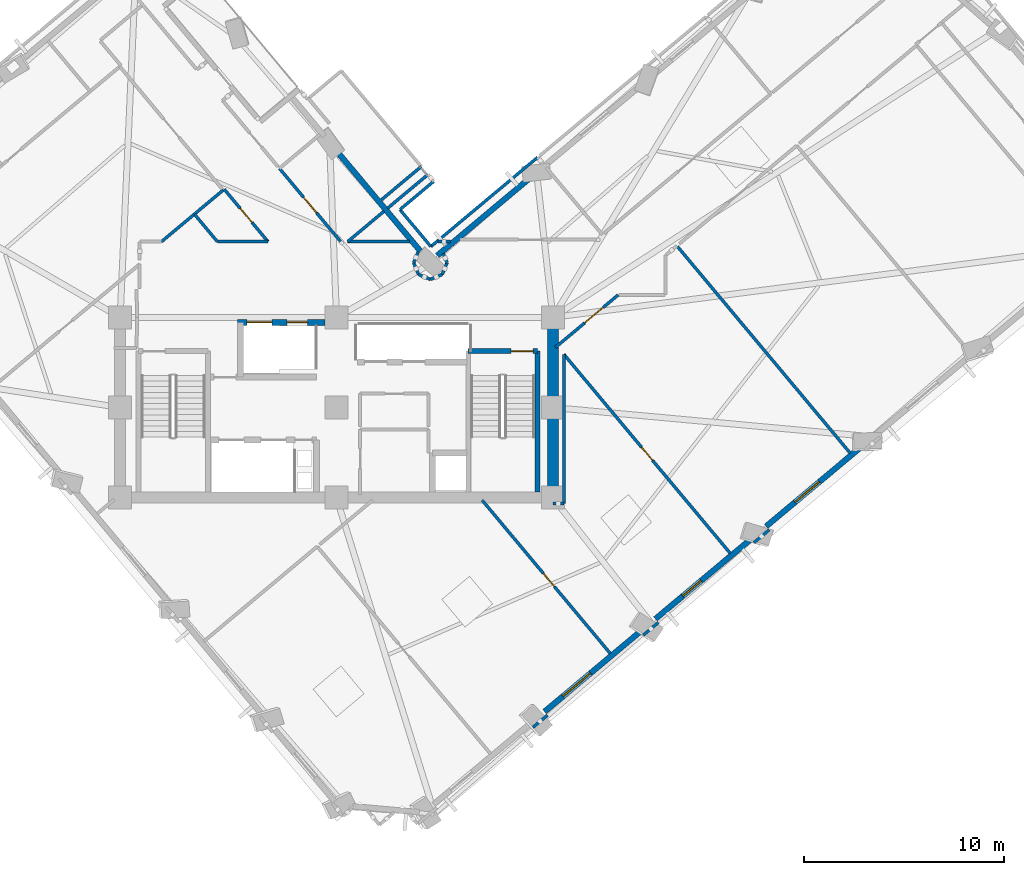
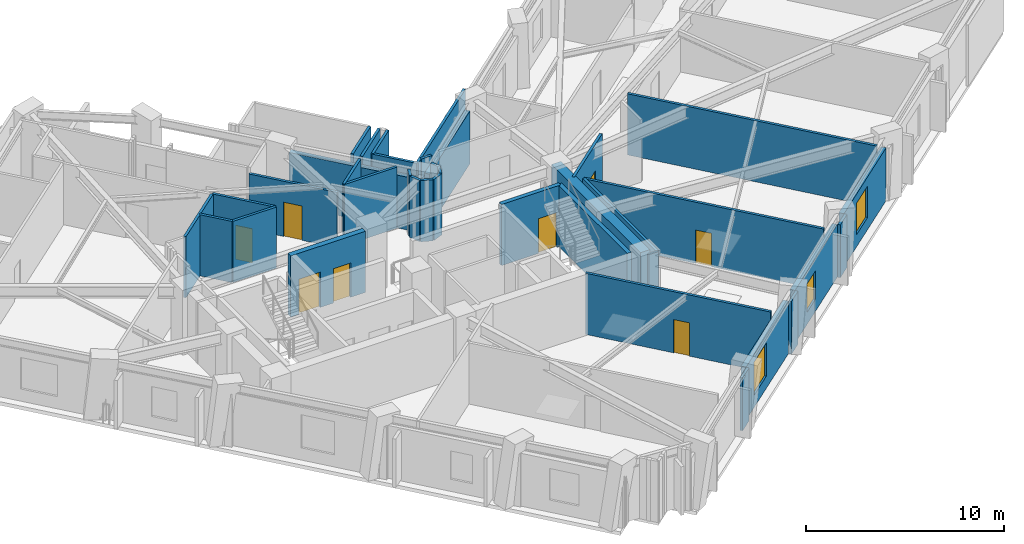
# One storey, part 7 of 14: 37 walls, 8 doors, 3 windows, 11 openings.
"""IFC4 building model written with IfcOpenShell, lengths in metres."""

import ifcopenshell
import ifcopenshell.guid

model = None  # the IFC model being written
_history = None  # IfcOwnerHistory: only IFC2X3 demands one
_inside = {}  # id of a spatial element -> (the spatial element, [elements in it])
_under = {}  # id of a project, library or spatial element -> (it, [spatial elements below it])
_declared = {}  # id of a project -> (the project, [libraries it declares])
_typed = {}  # id of a type object -> (the type object, [elements of that type])
_made_of = {}  # id of a material, layer set ... -> (it, [elements and type objects made of it])


def new_model(schema):
    """Start an empty IFC model of exactly this schema.

    Asked for "IFC4X3", IfcOpenShell would pick the latest addendum, in which some entities
    have other attributes; the version numbers below select the first issue.
    IFC2X3 requires an IfcOwnerHistory on every rooted entity: one is made here for all.
    """
    global model, _history
    if schema == "IFC4X3":
        model = ifcopenshell.file(schema_version=(4, 3, 0, 0))
    else:
        model = ifcopenshell.file(schema=schema)
    _inside.clear()
    _under.clear()
    _declared.clear()
    _typed.clear()
    _made_of.clear()
    _history = None
    if model.schema == "IFC2X3":
        org = make("IfcOrganization", Name="unknown")
        user = make(
            "IfcPersonAndOrganization",
            ThePerson=make("IfcPerson", FamilyName="unknown"),
            TheOrganization=org,
        )
        app = make(
            "IfcApplication",
            ApplicationDeveloper=org,
            Version="unknown",
            ApplicationFullName="unknown",
            ApplicationIdentifier="unknown",
        )
        _history = make(
            "IfcOwnerHistory",
            OwningUser=user,
            OwningApplication=app,
            ChangeAction="ADDED",
            CreationDate=0,
        )
    return model


def make(cls, **values):
    """One entity of the class cls with the attributes given. An attribute that is None is left unset."""
    return model.create_entity(
        cls, **{name: value for name, value in values.items() if value is not None}
    )


def rooted(cls, **values):
    """An entity with a GlobalId (a new one), such as an element, a storey or a relation."""
    return make(cls, GlobalId=ifcopenshell.guid.new(), OwnerHistory=_history, **values)


def si_unit(unit_type, name, prefix=None):
    """IfcSIUnit, for example si_unit("LENGTHUNIT", "METRE", prefix="MILLI")."""
    return make("IfcSIUnit", UnitType=unit_type, Prefix=prefix, Name=name)


def assignment(units):
    """IfcUnitAssignment: the units of a project."""
    return None if units is None else make("IfcUnitAssignment", Units=units)


def point(xyz):
    """IfcCartesianPoint."""
    return None if xyz is None else make("IfcCartesianPoint", Coordinates=xyz)


def direction(xyz):
    """IfcDirection."""
    return None if xyz is None else make("IfcDirection", DirectionRatios=xyz)


def frame(location, z_axis=None, x_axis=None):
    """IfcAxis2Placement3D, a coordinate frame: its origin and axes. An axis left out is left unset."""
    return make(
        "IfcAxis2Placement3D",
        Location=point(location),
        Axis=direction(z_axis),
        RefDirection=direction(x_axis),
    )


def frame_2d(location, x_axis=None):
    """IfcAxis2Placement2D, a coordinate frame in the plane: its origin and x axis."""
    return make(
        "IfcAxis2Placement2D", Location=point(location), RefDirection=direction(x_axis)
    )


def origin():
    """The frame at (0, 0, 0) with its axes left unset."""
    return frame((0.0, 0.0, 0.0))


def place(relative_to, where):
    """IfcLocalPlacement: puts the frame where relative to a parent placement (None: the world)."""
    return make(
        "IfcLocalPlacement", PlacementRelTo=relative_to, RelativePlacement=where
    )


def context(
    kind, dimensions, precision=None, world=None, true_north=None, identifier=None
):
    """IfcGeometricRepresentationContext, for example the 3D "Model" context."""
    return make(
        "IfcGeometricRepresentationContext",
        ContextIdentifier=identifier,
        ContextType=kind,
        CoordinateSpaceDimension=dimensions,
        Precision=precision,
        WorldCoordinateSystem=world,
        TrueNorth=true_north,
    )


def subcontext(parent, identifier, kind, view, scale=None):
    """IfcGeometricRepresentationSubContext, for example "Body" below "Model"."""
    return make(
        "IfcGeometricRepresentationSubContext",
        ContextIdentifier=identifier,
        ContextType=kind,
        ParentContext=parent,
        TargetScale=scale,
        TargetView=view,
    )


def project(units=None, contexts=None):
    """IfcProject with its units and contexts."""
    return rooted(
        "IfcProject",
        Name="project",
        RepresentationContexts=contexts,
        UnitsInContext=assignment(units),
    )


def spatial(cls, under=None, at=None, **own):
    """A site, building, storey or space (cls), placed at a placement, below another one or the project."""
    s = rooted(cls, ObjectPlacement=at, **own)
    if under is not None:
        _under.setdefault(under.id(), (under, []))[1].append(s)
    return s


def profile(cls, at=None, kind="AREA", **sizes):
    """A parametric profile (cls). Its sizes go by their IFC names, for example OverallWidth=200.0."""
    return make(cls, ProfileType=kind, Position=at, **sizes)


def rectangle(**sizes):
    """IfcRectangleProfileDef."""
    return profile("IfcRectangleProfileDef", **sizes)


def extrude(swept, where, along, depth):
    """IfcExtrudedAreaSolid: the profile swept, set in the frame where, extruded along a direction by depth."""
    return make(
        "IfcExtrudedAreaSolid",
        SweptArea=swept,
        Position=where,
        ExtrudedDirection=direction(along),
        Depth=depth,
    )


def shape(context_of_items, identifier, shape_type, items):
    """IfcShapeRepresentation: the items that make up one representation, for example the "Body"."""
    return make(
        "IfcShapeRepresentation",
        ContextOfItems=context_of_items,
        RepresentationIdentifier=identifier,
        RepresentationType=shape_type,
        Items=items,
    )


def material(Name=None, Category=None):
    """IfcMaterial."""
    return make("IfcMaterial", Name=Name, Category=Category)


def layer(
    of_material, thickness, ventilated=None, Name=None, Category=None, Priority=None
):
    """IfcMaterialLayer: one layer of a wall or slab, of a material (None: an air gap)."""
    return make(
        "IfcMaterialLayer",
        Material=of_material,
        LayerThickness=thickness,
        IsVentilated=ventilated,
        Name=Name,
        Category=Category,
        Priority=Priority,
    )


def layer_set(layers, Name=None):
    """IfcMaterialLayerSet."""
    return make("IfcMaterialLayerSet", MaterialLayers=layers, LayerSetName=Name)


def made_of(thing, what):
    """Note that an element or type object is made of a material, layer set ...; save() writes the relation."""
    if what is not None:
        _made_of.setdefault(what.id(), (what, []))[1].append(thing)
    return thing


def type_object(cls, material=None, **own):
    """A type object (cls), such as IfcWallType, which elements share."""
    return made_of(rooted(cls, **own), material)


def element(
    cls,
    number,
    at=None,
    inside=None,
    cuts=None,
    type_object=None,
    material=None,
    context=None,
    identifier="Body",
    shape_type=None,
    held_by="IfcProductDefinitionShape",
    body=None,
    shapes=None,
    **own,
):
    """One element of the class cls, such as IfcWall. Its Tag is "e" and its number.

    at: its placement. inside: the storey or other place that contains it. cuts: it is an
    opening in that element (IfcRelVoidsElement). A single representation is given by context,
    identifier, shape_type and body (its items); several are given by shapes. held_by: the class
    of the entity that holds the representations. save() writes the other relations.
    """
    e = rooted(cls, Tag="e%d" % number, ObjectPlacement=at, **own)
    if body is not None:
        shapes = [shape(context, identifier, shape_type, body)]
    if shapes is not None:
        e.Representation = make(held_by, Representations=shapes)
    if inside is not None:
        _inside.setdefault(inside.id(), (inside, []))[1].append(e)
    if cuts is not None:
        rooted(
            "IfcRelVoidsElement", RelatingBuildingElement=cuts, RelatedOpeningElement=e
        )
    if type_object is not None:
        _typed.setdefault(type_object.id(), (type_object, []))[1].append(e)
    return made_of(e, material)


def fill(opening, filler):
    """IfcRelFillsElement: the door or window that sits in an opening."""
    return rooted(
        "IfcRelFillsElement",
        RelatingOpeningElement=opening,
        RelatedBuildingElement=filler,
    )


def aggregate(whole, parts):
    """IfcRelAggregates: a whole, such as a stair, and the parts it consists of."""
    return rooted("IfcRelAggregates", RelatingObject=whole, RelatedObjects=parts)


def save(model, path):
    """Write the relations noted so far, then the file.

    IfcRelAggregates (storeys below a building ...), IfcRelContainedInSpatialStructure (elements
    in a storey), IfcRelDefinesByType, IfcRelAssociatesMaterial and IfcRelDeclares: one each for
    every whole, place, type object, material and project.
    """
    for whole, parts in _under.values():
        aggregate(whole, parts)
    for where, things in _inside.values():
        rooted(
            "IfcRelContainedInSpatialStructure",
            RelatedElements=things,
            RelatingStructure=where,
        )
    for kind, things in _typed.values():
        rooted("IfcRelDefinesByType", RelatedObjects=things, RelatingType=kind)
    for what, things in _made_of.values():
        rooted("IfcRelAssociatesMaterial", RelatedObjects=things, RelatingMaterial=what)
    for by, libraries in _declared.values():
        rooted("IfcRelDeclares", RelatingContext=by, RelatedDefinitions=libraries)
    model.write(path)


model = new_model("IFC4")

# Units and contexts
model_context = context("Model", 3, precision=1e-05, world=origin(), true_north=direction((0.0, 1.0)))
body_context = subcontext(model_context, "Body", "Model", "MODEL_VIEW")
ifc_project = project(units=[si_unit("LENGTHUNIT", "METRE"), si_unit("AREAUNIT", "SQUARE_METRE"), si_unit("VOLUMEUNIT", "CUBIC_METRE"), si_unit("PLANEANGLEUNIT", "RADIAN"), si_unit("MASSUNIT", "GRAM", prefix="KILO")], contexts=[model_context])

# Site, building, storey
site_placement = place(None, origin())
site = spatial("IfcSite", under=ifc_project, at=site_placement, CompositionType="ELEMENT")
building_placement = place(site_placement, origin())
building = spatial("IfcBuilding", under=site, at=building_placement, Name="Gaonmaruhae Medical Tower", CompositionType="ELEMENT")
storey_placement = place(building_placement, frame((0.0, 0.0, 193.800048828125)))
storey = spatial("IfcBuildingStorey", under=building, at=storey_placement, Name="L46", CompositionType="ELEMENT", Elevation=193.800048828125)

# Wall
ifc_material_1 = material(Name="Concrete C50/60", Category="concrete")
ifc_layer_1 = layer(ifc_material_1, 0.550048828125)
ifc_layer_set_1 = layer_set([ifc_layer_1], Name="Concrete C50/60")
wall_type_1 = type_object("IfcWallType", Name="CW-550 Mid-High Core Shear Wall", PredefinedType="SHEAR", material=ifc_layer_set_1)
wall_1_placement = place(storey_placement, frame((35.60009765625, 7.800048828125, 0.0), z_axis=(0.0, 0.0, 1.0), x_axis=(0.0, 1.0, 0.0)))
element("IfcWall", 1, at=wall_1_placement, inside=storey, type_object=wall_type_1, Name="L46 Core Shear Wall CSW-E1", PredefinedType="SHEAR", context=body_context, shape_type="SweptSolid", body=[
    extrude(rectangle(XDim=9.0, YDim=0.550048828125, at=frame_2d((4.5, 0.0))), origin(), (0.0, 0.0, 1.0), 3.780029296875),
])

# Wall, opening, window
ifc_material_2 = material(Name="Precast concrete C45/55", Category="concrete")
ifc_layer_2 = layer(ifc_material_2, 0.280029296875)
ifc_layer_set_2 = layer_set([ifc_layer_2], Name="Precast concrete C45/55")
wall_type_2 = type_object("IfcWallType", Name="EW-280 Upper Precast Masonry-Frame Facade Wall", PredefinedType="SOLIDWALL", material=ifc_layer_set_2)
wall_2_placement = place(storey_placement, frame((39.967041015625, 1.120849609375, 0.0), z_axis=(0.0, 0.0, 1.0), x_axis=(-0.767160959211, -0.641454645834, 0.0)))
wall_2 = element("IfcWall", 2, at=wall_2_placement, inside=storey, type_object=wall_type_2, Name="L46 Precast Masonry-Frame Wall S02-S03", PredefinedType="SOLIDWALL", context=body_context, shape_type="SweptSolid", body=[
    extrude(rectangle(XDim=6.234375, YDim=0.280029296875, at=frame_2d((3.1171875, 0.0))), origin(), (0.0, 0.0, 1.0), 3.264892578125),
])
opening_1_placement = place(wall_2_placement, frame((3.244873046875, 0.0, 0.75)))
opening_1 = element("IfcOpeningElement", 3, at=opening_1_placement, cuts=wall_2, Name="Opening WN-04", PredefinedType="OPENING", context=body_context, shape_type="SweptSolid", body=[
    extrude(rectangle(XDim=1.800048828125, YDim=2.050048828125, at=frame_2d((0.89990234375, 1.02490234375))), frame((0.0, 0.14990234375, 0.0), z_axis=(0.0, -1.0, 0.0), x_axis=(1.0, 0.0, 0.0)), (0.0, 0.0, 1.0), 0.300048828125),
])
ifc_material_3 = material(Name="Anodised aluminium and Low-E double glazing", Category="aluminium")
window_type_1 = type_object("IfcWindowType", Name="WN-04 Clinic & Consult Punched Window 1800x2050", PartitioningType="SINGLE_PANEL", PredefinedType="WINDOW", material=ifc_material_3)
window_1_placement = place(opening_1_placement, origin())
window_1 = element("IfcWindow", 4, at=window_1_placement, inside=storey, type_object=window_type_1, Name="L46 Modular Facade Window S02", OverallHeight=2.050048828125, OverallWidth=1.800048828125, PartitioningType="SINGLE_PANEL", PredefinedType="WINDOW", context=body_context, shape_type="SweptSolid", body=[
    extrude(rectangle(XDim=1.800048828125, YDim=2.050048828125, at=frame_2d((0.89990234375, 1.02490234375))), frame((0.0, 0.030029296875, 0.0), z_axis=(0.0, -1.0, 0.0), x_axis=(1.0, 0.0, 0.0)), (0.0, 0.0, 1.0), 0.06005859375),
])
fill(opening_1, window_1)

wall_3_placement = place(storey_placement, frame((45.485595703125, 5.735107421875, 0.0), z_axis=(0.0, 0.0, 1.0), x_axis=(-0.767147873107, -0.641470296107, 0.0)))
wall_3 = element("IfcWall", 5, at=wall_3_placement, inside=storey, type_object=wall_type_2, Name="L46 Precast Masonry-Frame Wall S03-S04", PredefinedType="SOLIDWALL", context=body_context, shape_type="SweptSolid", body=[
    extrude(rectangle(XDim=6.21435546875, YDim=0.280029296875, at=frame_2d((3.107177734375, 0.0))), origin(), (0.0, 0.0, 1.0), 3.264892578125),
])
opening_2_placement = place(wall_3_placement, frame((3.23486328125, 0.0, 0.75)))
opening_2 = element("IfcOpeningElement", 6, at=opening_2_placement, cuts=wall_3, Name="Opening WN-05", PredefinedType="OPENING", context=body_context, shape_type="SweptSolid", body=[
    extrude(rectangle(XDim=1.199951171875, YDim=1.75, at=frame_2d((0.60009765625, 0.875))), frame((0.0, 0.14990234375, 0.0), z_axis=(0.0, -1.0, 0.0), x_axis=(1.0, 0.0, 0.0)), (0.0, 0.0, 1.0), 0.300048828125),
])
window_type_2 = type_object("IfcWindowType", Name="WN-05 Support & Staff Punched Window 1200x1750", PartitioningType="SINGLE_PANEL", PredefinedType="WINDOW", material=ifc_material_3)
window_2_placement = place(opening_2_placement, origin())
window_2 = element("IfcWindow", 7, at=window_2_placement, inside=storey, type_object=window_type_2, Name="L46 Modular Facade Window S03", OverallHeight=1.75, OverallWidth=1.199951171875, PartitioningType="SINGLE_PANEL", PredefinedType="WINDOW", context=body_context, shape_type="SweptSolid", body=[
    extrude(rectangle(XDim=1.199951171875, YDim=1.75, at=frame_2d((0.60009765625, 0.875))), frame((0.0, 0.030029296875, 0.0), z_axis=(0.0, -1.0, 0.0), x_axis=(1.0, 0.0, 0.0)), (0.0, 0.0, 1.0), 0.06005859375),
])
fill(opening_2, window_2)

wall_4_placement = place(storey_placement, frame((51.009521484375, 10.353759765625, 0.0), z_axis=(0.0, 0.0, 1.0), x_axis=(-0.767179241659, -0.641432779929, 0.0)))
wall_4 = element("IfcWall", 8, at=wall_4_placement, inside=storey, type_object=wall_type_2, Name="L46 Precast Masonry-Frame Wall S04-S05", PredefinedType="SOLIDWALL", context=body_context, shape_type="SweptSolid", body=[
    extrude(rectangle(XDim=6.208984375, YDim=0.280029296875, at=frame_2d((3.1044921875, 0.0))), origin(), (0.0, 0.0, 1.0), 3.264892578125),
])
opening_3_placement = place(wall_4_placement, frame((2.734130859375, 0.0, 0.75)))
opening_3 = element("IfcOpeningElement", 9, at=opening_3_placement, cuts=wall_4, Name="Opening WN-01", PredefinedType="OPENING", context=body_context, shape_type="SweptSolid", body=[
    extrude(rectangle(XDim=1.60009765625, YDim=1.949951171875, at=frame_2d((0.800048828125, 0.97509765625))), frame((0.0, 0.14990234375, 0.0), z_axis=(0.0, -1.0, 0.0), x_axis=(1.0, 0.0, 0.0)), (0.0, 0.0, 1.0), 0.300048828125),
])
window_type_3 = type_object("IfcWindowType", Name="WN-01 Ward Punched Acoustic Window 1600x1950", PartitioningType="SINGLE_PANEL", PredefinedType="WINDOW", material=ifc_material_3)
window_3_placement = place(opening_3_placement, origin())
window_3 = element("IfcWindow", 10, at=window_3_placement, inside=storey, type_object=window_type_3, Name="L46 Modular Facade Window S04", OverallHeight=1.949951171875, OverallWidth=1.60009765625, PartitioningType="SINGLE_PANEL", PredefinedType="WINDOW", context=body_context, shape_type="SweptSolid", body=[
    extrude(rectangle(XDim=1.60009765625, YDim=1.949951171875, at=frame_2d((0.800048828125, 0.97509765625))), frame((0.0, 0.030029296875, 0.0), z_axis=(0.0, -1.0, 0.0), x_axis=(1.0, 0.0, 0.0)), (0.0, 0.0, 1.0), 0.06005859375),
])
fill(opening_3, window_3)

# Walls
wall_5_placement = place(storey_placement, frame((29.828369140625, 19.88671875, 0.0), z_axis=(0.0, 0.0, 1.0), x_axis=(0.767165929265, 0.641448701749, 0.0)))
element("IfcWall", 11, at=wall_5_placement, inside=storey, type_object=wall_type_2, Name="L46 Precast Masonry-Frame Wall EN03-KN01", PredefinedType="SOLIDWALL", context=body_context, shape_type="SweptSolid", body=[
    extrude(rectangle(XDim=5.9599609375, YDim=0.280029296875, at=frame_2d((2.97998046875, 0.0))), origin(), (0.0, 0.0, 1.0), 3.264892578125),
])
wall_6_placement = place(storey_placement, frame((29.15771484375, 19.90185546875, 0.0), z_axis=(0.0, 0.0, 1.0), x_axis=(-0.641469423173, 0.767148603032, 0.0)))
element("IfcWall", 12, at=wall_6_placement, inside=storey, type_object=wall_type_2, Name="L46 Precast Masonry-Frame Wall KN01-NE01", PredefinedType="SOLIDWALL", context=body_context, shape_type="SweptSolid", body=[
    extrude(rectangle(XDim=6.76025390625, YDim=0.280029296875, at=frame_2d((3.380126953125, 0.0))), origin(), (0.0, 0.0, 1.0), 3.264892578125),
])
ifc_material_4 = material(Name="Gypsum board partition", Category="gypsum")
ifc_layer_3 = layer(ifc_material_4, 0.14990234375)
ifc_layer_set_3 = layer_set([ifc_layer_3], Name="Gypsum board partition")
wall_type_3 = type_object("IfcWallType", Name="PW-150 Rated Clinical Corridor Partition", PredefinedType="PARTITIONING", material=ifc_layer_set_3)
wall_7_placement = place(storey_placement, frame((35.33203125, -3.054931640625, 0.0), z_axis=(0.0, 0.0, 1.0), x_axis=(-0.76729496063, -0.641294350039, 0.0)))
element("IfcWall", 13, at=wall_7_placement, inside=storey, type_object=wall_type_3, Name="L46 Interior Partition L46-SUP02-16", PredefinedType="PARTITIONING", context=body_context, shape_type="SweptSolid", body=[
    extrude(rectangle(XDim=0.951416015625, YDim=0.14990234375, at=frame_2d((0.4755859375, 0.0))), origin(), (0.0, 0.0, 1.0), 3.264892578125),
])

# Wall, opening, door
wall_8_placement = place(storey_placement, frame((32.068115234375, 7.675048828125, 0.0), z_axis=(0.0, 0.0, 1.0), x_axis=(0.641475635529, -0.767143408381, 0.0)))
wall_8 = element("IfcWall", 14, at=wall_8_placement, inside=storey, type_object=wall_type_3, Name="L46 Interior Partition L46-SUP02-18", PredefinedType="PARTITIONING", context=body_context, shape_type="SweptSolid", body=[
    extrude(rectangle(XDim=9.97998046875, YDim=0.14990234375, at=frame_2d((4.989990234375, 0.0))), origin(), (0.0, 0.0, 1.0), 3.780029296875),
])
opening_4_placement = place(wall_8_placement, frame((4.757080078125, 0.0, 0.0)))
opening_4 = element("IfcOpeningElement", 15, at=opening_4_placement, cuts=wall_8, Name="Opening AD-01", PredefinedType="OPENING", context=body_context, shape_type="SweptSolid", body=[
    extrude(rectangle(XDim=0.860107421875, YDim=2.06005859375, at=frame_2d((0.43017578125, 1.030029296875))), frame((0.0, 0.0849609375, 0.0), z_axis=(0.0, -1.0, 0.0), x_axis=(1.0, 0.0, 0.0)), (0.0, 0.0, 1.0), 0.169921875),
])
ifc_material_5 = material(Name="Powder-coated steel access door", Category="steel")
door_type_1 = type_object("IfcDoorType", Name="AD-01 Riser & Closet Access Fire Door 860x2060", OperationType="NOTDEFINED", PredefinedType="DOOR", material=ifc_material_5)
door_1_placement = place(opening_4_placement, origin())
door_1 = element("IfcDoor", 16, at=door_1_placement, inside=storey, type_object=door_type_1, Name="L46 Clinical Biomedical Charting Office Sliding Door", OperationType="SLIDING_TO_LEFT", OverallHeight=2.06005859375, OverallWidth=0.860107421875, PredefinedType="DOOR", context=body_context, shape_type="SweptSolid", body=[
    extrude(rectangle(XDim=0.860107421875, YDim=2.06005859375, at=frame_2d((0.43017578125, 1.030029296875))), frame((0.0, 0.02490234375, 0.0), z_axis=(0.0, -1.0, 0.0), x_axis=(1.0, 0.0, 0.0)), (0.0, 0.0, 1.0), 0.050048828125),
])
fill(opening_4, door_1)

wall_9_placement = place(storey_placement, frame((36.14990234375, 14.952880859375, 0.0), z_axis=(0.0, 0.0, 1.0), x_axis=(0.641424642923, -0.767186044875, 0.0)))
wall_9 = element("IfcWall", 17, at=wall_9_placement, inside=storey, type_object=wall_type_3, Name="L46 Interior Partition L46-SUP03-19", PredefinedType="PARTITIONING", context=body_context, shape_type="SweptSolid", body=[
    extrude(rectangle(XDim=12.944580078125, YDim=0.14990234375, at=frame_2d((6.47216796875, 0.0))), origin(), (0.0, 0.0, 1.0), 3.780029296875),
])
opening_5_placement = place(wall_9_placement, frame((6.042236328125, 0.0, 0.0)))
opening_5 = element("IfcOpeningElement", 18, at=opening_5_placement, cuts=wall_9, Name="Opening AD-01", PredefinedType="OPENING", context=body_context, shape_type="SweptSolid", body=[
    extrude(rectangle(XDim=0.860107421875, YDim=2.06005859375, at=frame_2d((0.43017578125, 1.030029296875))), frame((0.0, 0.0849609375, 0.0), z_axis=(0.0, -1.0, 0.0), x_axis=(1.0, 0.0, 0.0)), (0.0, 0.0, 1.0), 0.169921875),
])
door_2_placement = place(opening_5_placement, origin())
door_2 = element("IfcDoor", 19, at=door_2_placement, inside=storey, type_object=door_type_1, Name="L46 Clinical Biomedical Charting Office Sliding Door", OperationType="SLIDING_TO_LEFT", OverallHeight=2.06005859375, OverallWidth=0.860107421875, PredefinedType="DOOR", context=body_context, shape_type="SweptSolid", body=[
    extrude(rectangle(XDim=0.860107421875, YDim=2.06005859375, at=frame_2d((0.43017578125, 1.030029296875))), frame((0.0, 0.02490234375, 0.0), z_axis=(0.0, -1.0, 0.0), x_axis=(1.0, 0.0, 0.0)), (0.0, 0.0, 1.0), 0.050048828125),
])
fill(opening_5, door_2)

# Walls
wall_10_placement = place(storey_placement, frame((40.865966796875, 1.572021484375, 0.0), z_axis=(0.0, 0.0, 1.0), x_axis=(-0.767157200242, -0.641459141425, 0.0)))
element("IfcWall", 20, at=wall_10_placement, inside=storey, type_object=wall_type_3, Name="L46 Interior Partition L46-SUP03-20", PredefinedType="PARTITIONING", context=body_context, shape_type="SweptSolid", body=[
    extrude(rectangle(XDim=0.97900390625, YDim=0.14990234375, at=frame_2d((0.489501953125, 0.0))), origin(), (0.0, 0.0, 1.0), 3.264892578125),
])
wall_11_placement = place(storey_placement, frame((35.60009765625, 7.5, 0.0), z_axis=(0.0, 0.0, 1.0), x_axis=(1.0, 0.0, 0.0)))
element("IfcWall", 21, at=wall_11_placement, inside=storey, type_object=wall_type_3, Name="L46 Interior Partition L46-SUP03-21", PredefinedType="PARTITIONING", context=body_context, shape_type="SweptSolid", body=[
    extrude(rectangle(XDim=0.5498046875, YDim=0.14990234375, at=frame_2d((0.27490234375, 0.0))), origin(), (0.0, 0.0, 1.0), 3.780029296875),
])
wall_12_placement = place(storey_placement, frame((36.14990234375, 7.5, 0.0), z_axis=(0.0, 0.0, 1.0), x_axis=(0.0, 1.0, 0.0)))
element("IfcWall", 22, at=wall_12_placement, inside=storey, type_object=wall_type_3, Name="L46 Interior Partition L46-SUP03-22", PredefinedType="PARTITIONING", context=body_context, shape_type="SweptSolid", body=[
    extrude(rectangle(XDim=7.452880859375, YDim=0.14990234375, at=frame_2d((3.7265625, 0.0))), origin(), (0.0, 0.0, 1.0), 3.780029296875),
])
wall_13_placement = place(storey_placement, frame((41.820068359375, 20.3330078125, 0.0), z_axis=(0.0, 0.0, 1.0), x_axis=(0.641441854708, -0.767171654213, 0.0)))
element("IfcWall", 23, at=wall_13_placement, inside=storey, type_object=wall_type_3, Name="L46 Interior Partition L46-SUP04-25", PredefinedType="PARTITIONING", context=body_context, shape_type="SweptSolid", body=[
    extrude(rectangle(XDim=13.435302734375, YDim=0.14990234375, at=frame_2d((6.7177734375, 0.0))), origin(), (0.0, 0.0, 1.0), 3.780029296875),
])
wall_14_placement = place(storey_placement, frame((46.39404296875, 6.194091796875, 0.0), z_axis=(0.0, 0.0, 1.0), x_axis=(-0.767312502054, -0.641273361518, 0.0)))
element("IfcWall", 24, at=wall_14_placement, inside=storey, type_object=wall_type_3, Name="L46 Interior Partition L46-SUP04-26", PredefinedType="PARTITIONING", context=body_context, shape_type="SweptSolid", body=[
    extrude(rectangle(XDim=0.99169921875, YDim=0.14990234375, at=frame_2d((0.495849609375, 0.0))), origin(), (0.0, 0.0, 1.0), 3.264892578125),
])

# Wall, opening, door
wall_15_placement = place(storey_placement, frame((35.72509765625, 15.302001953125, 0.0), z_axis=(0.0, 0.0, 1.0), x_axis=(0.767249700724, 0.641348498664, 0.0)))
wall_15 = element("IfcWall", 25, at=wall_15_placement, inside=storey, type_object=wall_type_3, Name="L46 Interior Partition L46-SUP04-27", PredefinedType="PARTITIONING", context=body_context, shape_type="SweptSolid", body=[
    extrude(rectangle(XDim=4.081787109375, YDim=0.14990234375, at=frame_2d((2.041015625, 0.0))), origin(), (0.0, 0.0, 1.0), 3.780029296875),
])
opening_6_placement = place(wall_15_placement, frame((1.902099609375, 0.0, 0.0)))
opening_6 = element("IfcOpeningElement", 26, at=opening_6_placement, cuts=wall_15, Name="Opening CD-02", PredefinedType="OPENING", context=body_context, shape_type="SweptSolid", body=[
    extrude(rectangle(XDim=1.199951171875, YDim=2.14990234375, at=frame_2d((0.60009765625, 1.074951171875))), frame((0.0, 0.0849609375, 0.0), z_axis=(0.0, -1.0, 0.0), x_axis=(1.0, 0.0, 0.0)), (0.0, 0.0, 1.0), 0.169921875),
])
ifc_material_6 = material(Name="Antimicrobial laminate timber fire door", Category="wood")
door_type_2 = type_object("IfcDoorType", Name="CD-02 Clinical Treatment & Procedure Door 1200x2150", OperationType="NOTDEFINED", PredefinedType="DOOR", material=ifc_material_6)
door_3_placement = place(opening_6_placement, origin())
door_3 = element("IfcDoor", 27, at=door_3_placement, inside=storey, type_object=door_type_2, Name="L46 Clinical Biomedical Charting Office Door", OperationType="SINGLE_SWING_RIGHT", OverallHeight=2.14990234375, OverallWidth=1.199951171875, PredefinedType="DOOR", context=body_context, shape_type="SweptSolid", body=[
    extrude(rectangle(XDim=1.199951171875, YDim=2.14990234375, at=frame_2d((0.60009765625, 1.074951171875))), frame((0.0, 0.02490234375, 0.0), z_axis=(0.0, -1.0, 0.0), x_axis=(1.0, 0.0, 0.0)), (0.0, 0.0, 1.0), 0.050048828125),
])
fill(opening_6, door_3)

# Walls
wall_16_placement = place(storey_placement, frame((19.14111328125, 23.15087890625, 0.0), z_axis=(0.0, 0.0, 1.0), x_axis=(-0.767221821243, -0.64138184961, 0.0)))
element("IfcWall", 28, at=wall_16_placement, inside=storey, type_object=wall_type_3, Name="L46 Interior Partition L46-WOF09-51", PredefinedType="PARTITIONING", context=body_context, shape_type="SweptSolid", body=[
    extrude(rectangle(XDim=4.00830078125, YDim=0.14990234375, at=frame_2d((2.004150390625, 0.0))), origin(), (0.0, 0.0, 1.0), 3.780029296875),
])
wall_17_placement = place(storey_placement, frame((27.970947265625, 22.178955078125, 0.0), z_axis=(0.0, 0.0, 1.0), x_axis=(0.641374499126, -0.767227966038, 0.0)))
element("IfcWall", 29, at=wall_17_placement, inside=storey, type_object=wall_type_3, Name="L46 Interior Partition L46-IE01-53", PredefinedType="PARTITIONING", context=body_context, shape_type="SweptSolid", body=[
    extrude(rectangle(XDim=2.399658203125, YDim=0.14990234375, at=frame_2d((1.19970703125, 0.0))), origin(), (0.0, 0.0, 1.0), 3.780029296875),
])
wall_18_placement = place(storey_placement, frame((29.510009765625, 20.337890625, 0.0), z_axis=(0.0, 0.0, 1.0), x_axis=(0.767156772748, 0.641459652688, 0.0)))
element("IfcWall", 30, at=wall_18_placement, inside=storey, type_object=wall_type_3, Name="L46 Interior Partition L46-IE01-54", PredefinedType="PARTITIONING", context=body_context, shape_type="SweptSolid", body=[
    extrude(rectangle(XDim=6.943603515625, YDim=0.14990234375, at=frame_2d((3.4716796875, 0.0))), origin(), (0.0, 0.0, 1.0), 3.780029296875),
])
wall_19_placement = place(storey_placement, frame((30.47802734375, 20.5791015625, 0.0), z_axis=(0.0, 0.0, 1.0), x_axis=(-1.0, 0.0, 0.0)))
element("IfcWall", 31, at=wall_19_placement, inside=storey, type_object=wall_type_3, Name="L46 Interior Partition L46-IE01-58", PredefinedType="PARTITIONING", context=body_context, shape_type="SweptSolid", body=[
    extrude(rectangle(XDim=0.6240234375, YDim=0.14990234375, at=frame_2d((0.31201171875, 0.0))), origin(), (0.0, 0.0, 1.0), 3.780029296875),
])
wall_20_placement = place(storey_placement, frame((30.1279296875, 19.987060546875, 0.0), z_axis=(0.0, 0.0, 1.0), x_axis=(0.383496518517, -0.92354232187, 0.0)))
element("IfcWall", 32, at=wall_20_placement, inside=storey, type_object=wall_type_3, Name="L46 Interior Partition L46-IE01-59", PredefinedType="PARTITIONING", context=body_context, shape_type="SweptSolid", body=[
    extrude(rectangle(XDim=0.495849609375, YDim=0.14990234375, at=frame_2d((0.248046875, 0.0))), origin(), (0.0, 0.0, 1.0), 3.780029296875),
])
wall_21_placement = place(storey_placement, frame((30.318115234375, 19.529052734375, 0.0), z_axis=(0.0, 0.0, 1.0), x_axis=(-0.382306769343, -0.924035461503, 0.0)))
element("IfcWall", 33, at=wall_21_placement, inside=storey, type_object=wall_type_3, Name="L46 Interior Partition L46-IE01-60", PredefinedType="PARTITIONING", context=body_context, shape_type="SweptSolid", body=[
    extrude(rectangle(XDim=0.638671875, YDim=0.14990234375, at=frame_2d((0.3193359375, 0.0))), origin(), (0.0, 0.0, 1.0), 3.780029296875),
])
wall_22_placement = place(storey_placement, frame((30.073974609375, 18.93896484375, 0.0), z_axis=(0.0, 0.0, 1.0), x_axis=(-0.923890787601, -0.382656259044, 0.0)))
element("IfcWall", 34, at=wall_22_placement, inside=storey, type_object=wall_type_3, Name="L46 Interior Partition L46-IE01-61", PredefinedType="PARTITIONING", context=body_context, shape_type="SweptSolid", body=[
    extrude(rectangle(XDim=0.637451171875, YDim=0.14990234375, at=frame_2d((0.31884765625, 0.0))), origin(), (0.0, 0.0, 1.0), 3.780029296875),
])
wall_23_placement = place(storey_placement, frame((29.485107421875, 18.695068359375, 0.0), z_axis=(0.0, 0.0, 1.0), x_axis=(-0.924170479167, 0.381980268386, 0.0)))
element("IfcWall", 35, at=wall_23_placement, inside=storey, type_object=wall_type_3, Name="L46 Interior Partition L46-IE01-62", PredefinedType="PARTITIONING", context=body_context, shape_type="SweptSolid", body=[
    extrude(rectangle(XDim=0.638427734375, YDim=0.14990234375, at=frame_2d((0.3193359375, 0.0))), origin(), (0.0, 0.0, 1.0), 3.780029296875),
])
wall_24_placement = place(storey_placement, frame((28.89501953125, 18.93896484375, 0.0), z_axis=(0.0, 0.0, 1.0), x_axis=(-0.382306769343, 0.924035461503, 0.0)))
element("IfcWall", 36, at=wall_24_placement, inside=storey, type_object=wall_type_3, Name="L46 Interior Partition L46-IE01-63", PredefinedType="PARTITIONING", context=body_context, shape_type="SweptSolid", body=[
    extrude(rectangle(XDim=0.638671875, YDim=0.14990234375, at=frame_2d((0.3193359375, 0.0))), origin(), (0.0, 0.0, 1.0), 3.780029296875),
])
wall_25_placement = place(storey_placement, frame((28.65087890625, 19.529052734375, 0.0), z_axis=(0.0, 0.0, 1.0), x_axis=(0.382128262134, 0.924109296176, 0.0)))
element("IfcWall", 37, at=wall_25_placement, inside=storey, type_object=wall_type_3, Name="L46 Interior Partition L46-IE01-64", PredefinedType="PARTITIONING", context=body_context, shape_type="SweptSolid", body=[
    extrude(rectangle(XDim=0.578857421875, YDim=0.14990234375, at=frame_2d((0.28955078125, 0.0))), origin(), (0.0, 0.0, 1.0), 3.780029296875),
])
wall_26_placement = place(storey_placement, frame((28.44189453125, 20.577880859375, 0.0), z_axis=(0.0, 0.0, 1.0), x_axis=(-0.99999974635, 0.000712250532, 0.0)))
element("IfcWall", 38, at=wall_26_placement, inside=storey, type_object=wall_type_3, Name="L46 Interior Partition L46-IE01-65", PredefinedType="PARTITIONING", context=body_context, shape_type="SweptSolid", body=[
    extrude(rectangle(XDim=3.0849609375, YDim=0.14990234375, at=frame_2d((1.54248046875, 0.0))), origin(), (0.0, 0.0, 1.0), 3.780029296875),
])
wall_27_placement = place(storey_placement, frame((25.35693359375, 20.580078125, 0.0), z_axis=(0.0, 0.0, 1.0), x_axis=(0.767349224347, 0.641229419081, 0.0)))
element("IfcWall", 39, at=wall_27_placement, inside=storey, type_object=wall_type_3, Name="L46 Interior Partition L46-IE01-66", PredefinedType="PARTITIONING", context=body_context, shape_type="SweptSolid", body=[
    extrude(rectangle(XDim=2.365478515625, YDim=0.14990234375, at=frame_2d((1.1826171875, 0.0))), origin(), (0.0, 0.0, 1.0), 3.780029296875),
])
wall_28_placement = place(storey_placement, frame((27.347900390625, 22.2451171875, 0.0), z_axis=(0.0, 0.0, 1.0), x_axis=(0.76733211285, 0.641249895587, 0.0)))
element("IfcWall", 40, at=wall_28_placement, inside=storey, type_object=wall_type_3, Name="L46 Interior Partition L46-IE01-67", PredefinedType="PARTITIONING", context=body_context, shape_type="SweptSolid", body=[
    extrude(rectangle(XDim=2.635498046875, YDim=0.14990234375, at=frame_2d((1.31787109375, 0.0))), origin(), (0.0, 0.0, 1.0), 3.780029296875),
])
wall_29_placement = place(storey_placement, frame((29.657958984375, 23.590087890625, 0.0), z_axis=(0.0, 0.0, 1.0), x_axis=(-0.767037139596, -0.641602701428, 0.0)))
element("IfcWall", 41, at=wall_29_placement, inside=storey, type_object=wall_type_3, Name="L46 Interior Partition L46-IE01-69", PredefinedType="PARTITIONING", context=body_context, shape_type="SweptSolid", body=[
    extrude(rectangle(XDim=2.199462890625, YDim=0.14990234375, at=frame_2d((1.099609375, 0.0))), origin(), (0.0, 0.0, 1.0), 3.780029296875),
])

# Wall, opening, door
wall_30_placement = place(storey_placement, frame((25.006103515625, 20.580078125, 0.0), z_axis=(0.0, 0.0, 1.0), x_axis=(-0.641458710036, 0.767157560948, 0.0)))
wall_30 = element("IfcWall", 42, at=wall_30_placement, inside=storey, type_object=wall_type_3, Name="L46 Interior Partition L46-IN01-83", PredefinedType="PARTITIONING", context=body_context, shape_type="SweptSolid", body=[
    extrude(rectangle(XDim=4.764404296875, YDim=0.14990234375, at=frame_2d((2.38232421875, 0.0))), origin(), (0.0, 0.0, 1.0), 3.4150390625),
])
opening_7_placement = place(wall_30_placement, frame((1.882080078125, 0.0, 0.0)))
opening_7 = element("IfcOpeningElement", 43, at=opening_7_placement, cuts=wall_30, Name="Opening CD-01", PredefinedType="OPENING", context=body_context, shape_type="SweptSolid", body=[
    extrude(rectangle(XDim=1.0, YDim=2.1201171875, at=frame_2d((0.5, 1.06005859375))), frame((0.0, 0.0849609375, 0.0), z_axis=(0.0, -1.0, 0.0), x_axis=(1.0, 0.0, 0.0)), (0.0, 0.0, 1.0), 0.169921875),
])
door_type_3 = type_object("IfcDoorType", Name="CD-01 Consultation & Physician Office Door 1000x2120", OperationType="NOTDEFINED", PredefinedType="DOOR", material=ifc_material_6)
door_4_placement = place(opening_7_placement, origin())
door_4 = element("IfcDoor", 44, at=door_4_placement, inside=storey, type_object=door_type_3, Name="L46 Physician Consultation Office Door", OperationType="SINGLE_SWING_RIGHT", OverallHeight=2.1201171875, OverallWidth=1.0, PredefinedType="DOOR", context=body_context, shape_type="SweptSolid", body=[
    extrude(rectangle(XDim=1.0, YDim=2.1201171875, at=frame_2d((0.5, 1.06005859375))), frame((0.0, 0.02490234375, 0.0), z_axis=(0.0, -1.0, 0.0), x_axis=(1.0, 0.0, 0.0)), (0.0, 0.0, 1.0), 0.050048828125),
])
fill(opening_7, door_4)

wall_31_placement = place(storey_placement, frame((19.195068359375, 23.196044921875, 0.0), z_axis=(0.0, 0.0, 1.0), x_axis=(0.641401985735, -0.767204987402, 0.0)))
wall_31 = element("IfcWall", 45, at=wall_31_placement, inside=storey, type_object=wall_type_3, Name="L46 Interior Partition L46-RM03-99", PredefinedType="PARTITIONING", context=body_context, shape_type="SweptSolid", body=[
    extrude(rectangle(XDim=3.40966796875, YDim=0.14990234375, at=frame_2d((1.704833984375, 0.0))), origin(), (0.0, 0.0, 1.0), 3.780029296875),
])
opening_8_placement = place(wall_31_placement, frame((1.244873046875, 0.0, 0.0)))
opening_8 = element("IfcOpeningElement", 46, at=opening_8_placement, cuts=wall_31, Name="Opening UD-01", PredefinedType="OPENING", context=body_context, shape_type="SweptSolid", body=[
    extrude(rectangle(XDim=0.919921875, YDim=2.10009765625, at=frame_2d((0.4599609375, 1.050048828125))), frame((0.0, 0.0849609375, 0.0), z_axis=(0.0, -1.0, 0.0), x_axis=(1.0, 0.0, 0.0)), (0.0, 0.0, 1.0), 0.169921875),
])
ifc_material_7 = material(Name="Powder-coated steel utility door", Category="steel")
door_type_4 = type_object("IfcDoorType", Name="UD-01 Toilet, Utility & Housekeeping Door 920x2100", OperationType="NOTDEFINED", PredefinedType="DOOR", material=ifc_material_7)
door_5_placement = place(opening_8_placement, origin())
door_5 = element("IfcDoor", 47, at=door_5_placement, inside=storey, type_object=door_type_4, Name="L46 Biomedical Mobile Equipment Bay Door", OperationType="SINGLE_SWING_LEFT", OverallHeight=2.10009765625, OverallWidth=0.919921875, PredefinedType="DOOR", context=body_context, shape_type="SweptSolid", body=[
    extrude(rectangle(XDim=0.919921875, YDim=2.10009765625, at=frame_2d((0.4599609375, 1.050048828125))), frame((0.0, 0.02490234375, 0.0), z_axis=(0.0, -1.0, 0.0), x_axis=(1.0, 0.0, 0.0)), (0.0, 0.0, 1.0), 0.050048828125),
])
fill(opening_8, door_5)

# Walls
wall_32_placement = place(storey_placement, frame((21.382080078125, 20.580078125, 0.0), z_axis=(0.0, 0.0, 1.0), x_axis=(-1.0, 0.0, 0.0)))
element("IfcWall", 48, at=wall_32_placement, inside=storey, type_object=wall_type_3, Name="L46 Interior Partition L46-RM03-100", PredefinedType="PARTITIONING", context=body_context, shape_type="SweptSolid", body=[
    extrude(rectangle(XDim=2.529052734375, YDim=0.14990234375, at=frame_2d((1.2646484375, 0.0))), origin(), (0.0, 0.0, 1.0), 3.780029296875),
])
wall_33_placement = place(storey_placement, frame((18.85302734375, 20.580078125, 0.0), z_axis=(0.0, 0.0, 1.0), x_axis=(-0.641270101846, 0.767315226278, 0.0)))
element("IfcWall", 49, at=wall_33_placement, inside=storey, type_object=wall_type_3, Name="L46 Interior Partition L46-RM03-101", PredefinedType="PARTITIONING", context=body_context, shape_type="SweptSolid", body=[
    extrude(rectangle(XDim=1.768310546875, YDim=0.14990234375, at=frame_2d((0.88427734375, 0.0))), origin(), (0.0, 0.0, 1.0), 3.780029296875),
])
wall_34_placement = place(storey_placement, frame((29.035888671875, 24.333984375, 0.0), z_axis=(0.0, 0.0, 1.0), x_axis=(-0.767231220432, -0.641370606119, 0.0)))
element("IfcWall", 50, at=wall_34_placement, inside=storey, type_object=wall_type_3, Name="L46 Interior Partition L46-RM04-104", PredefinedType="PARTITIONING", context=body_context, shape_type="SweptSolid", body=[
    extrude(rectangle(XDim=2.589599609375, YDim=0.14990234375, at=frame_2d((1.294921875, 0.0))), origin(), (0.0, 0.0, 1.0), 3.780029296875),
])

# Wall, opening, door
ifc_layer_4 = layer(ifc_material_1, 0.239990234375)
ifc_layer_set_4 = layer_set([ifc_layer_4], Name="Concrete C50/60")
wall_type_4 = type_object("IfcWallType", Name="SW-240 Dogleg Stair Tight Shaft Wall", PredefinedType="SOLIDWALL", material=ifc_layer_set_4)
wall_35_placement = place(storey_placement, frame((31.3701171875, 15.1201171875, 0.0), z_axis=(0.0, 0.0, 1.0), x_axis=(1.0, 0.0, 0.0)))
wall_35 = element("IfcWall", 51, at=wall_35_placement, inside=storey, type_object=wall_type_4, Name="L46 ST-02 Stair Shaft Wall SHW-ST-02-N", PredefinedType="SOLIDWALL", context=body_context, shape_type="SweptSolid", body=[
    extrude(rectangle(XDim=3.4599609375, YDim=0.239990234375, at=frame_2d((1.72998046875, 0.0))), origin(), (0.0, 0.0, 1.0), 3.780029296875),
])
opening_9_placement = place(wall_35_placement, frame((2.139892578125, 0.0, 0.0)))
opening_9 = element("IfcOpeningElement", 52, at=opening_9_placement, cuts=wall_35, Name="Opening FD-01", PredefinedType="OPENING", context=body_context, shape_type="SweptSolid", body=[
    extrude(rectangle(XDim=1.10009765625, YDim=2.14990234375, at=frame_2d((0.550048828125, 1.074951171875))), frame((0.0, 0.1298828125, 0.0), z_axis=(0.0, -1.0, 0.0), x_axis=(1.0, 0.0, 0.0)), (0.0, 0.0, 1.0), 0.260009765625),
])
ifc_material_8 = material(Name="Powder-coated steel fire door", Category="steel")
door_type_5 = type_object("IfcDoorType", Name="FD-01 Escape Stair Protected Fire Door 1100x2150", OperationType="NOTDEFINED", PredefinedType="DOOR", material=ifc_material_8)
door_6_placement = place(opening_9_placement, origin())
door_6 = element("IfcDoor", 53, at=door_6_placement, inside=storey, type_object=door_type_5, Name="L46 ST-02 Protected Escape Stair Door", OperationType="SINGLE_SWING_RIGHT", OverallHeight=2.14990234375, OverallWidth=1.10009765625, PredefinedType="DOOR", context=body_context, shape_type="SweptSolid", body=[
    extrude(rectangle(XDim=1.10009765625, YDim=2.14990234375, at=frame_2d((0.550048828125, 1.074951171875))), frame((0.0, 0.02490234375, 0.0), z_axis=(0.0, -1.0, 0.0), x_axis=(1.0, 0.0, 0.0)), (0.0, 0.0, 1.0), 0.050048828125),
])
fill(opening_9, door_6)

# Wall
wall_36_placement = place(storey_placement, frame((34.830078125, 15.1201171875, 0.0), z_axis=(0.0, 0.0, 1.0), x_axis=(0.0, -1.0, 0.0)))
element("IfcWall", 54, at=wall_36_placement, inside=storey, type_object=wall_type_4, Name="L46 ST-02 Stair Shaft Wall SHW-ST-02-E", PredefinedType="SOLIDWALL", context=body_context, shape_type="SweptSolid", body=[
    extrude(rectangle(XDim=7.045166015625, YDim=0.239990234375, at=frame_2d((3.5224609375, 0.0))), origin(), (0.0, 0.0, 1.0), 3.780029296875),
])

# Wall, openings, doors
ifc_layer_5 = layer(ifc_material_1, 0.300048828125)
ifc_layer_set_5 = layer_set([ifc_layer_5], Name="Concrete C50/60")
wall_type_5 = type_object("IfcWallType", Name="SW-300 Stair & Lift Hoistway Shaft Wall", PredefinedType="SOLIDWALL", material=ifc_layer_set_5)
wall_37_placement = place(storey_placement, frame((19.85009765625, 16.550048828125, 0.0), z_axis=(0.0, 0.0, 1.0), x_axis=(1.0, 0.0, 0.0)))
wall_37 = element("IfcWall", 55, at=wall_37_placement, inside=storey, type_object=wall_type_5, Name="L46 Core Shear Wall CSW-NB", PredefinedType="SOLIDWALL", context=body_context, shape_type="SweptSolid", body=[
    extrude(rectangle(XDim=4.375, YDim=0.300048828125, at=frame_2d((2.1875, 0.0))), origin(), (0.0, 0.0, 1.0), 3.780029296875),
])
opening_10_placement = place(wall_37_placement, frame((0.47509765625, 0.0, 0.0)))
opening_10 = element("IfcOpeningElement", 56, at=opening_10_placement, cuts=wall_37, Name="Opening LD-F1", PredefinedType="OPENING", context=body_context, shape_type="SweptSolid", body=[
    extrude(rectangle(XDim=1.25, YDim=2.179931640625, at=frame_2d((0.625, 1.08984375))), frame((0.0, 0.16015625, 0.0), z_axis=(0.0, -1.0, 0.0), x_axis=(1.0, 0.0, 0.0)), (0.0, 0.0, 1.0), 0.320068359375),
])
opening_11_placement = place(wall_37_placement, frame((2.489990234375, 0.0, 0.0)))
opening_11 = element("IfcOpeningElement", 57, at=opening_11_placement, cuts=wall_37, Name="Opening LD-S1", PredefinedType="OPENING", context=body_context, shape_type="SweptSolid", body=[
    extrude(rectangle(XDim=1.02001953125, YDim=2.1201171875, at=frame_2d((0.510009765625, 1.06005859375))), frame((0.0, 0.16015625, 0.0), z_axis=(0.0, -1.0, 0.0), x_axis=(1.0, 0.0, 0.0)), (0.0, 0.0, 1.0), 0.320068359375),
])
ifc_material_9 = material(Name="Brushed stainless steel 316L landing door", Category="steel")
door_type_6 = type_object("IfcDoorType", Name="LD-F1 Firefighting & Bed Lift Sliding Landing Door 1250x2180", OperationType="NOTDEFINED", PredefinedType="DOOR", material=ifc_material_9)
door_7_placement = place(opening_10_placement, origin())
door_7 = element("IfcDoor", 58, at=door_7_placement, inside=storey, type_object=door_type_6, Name="L46 Service/Bed Lift Landing Door BDL-01", OperationType="DOUBLE_DOOR_SLIDING", OverallHeight=2.179931640625, OverallWidth=1.25, PredefinedType="DOOR", context=body_context, shape_type="SweptSolid", body=[
    extrude(rectangle(XDim=1.25, YDim=2.179931640625, at=frame_2d((0.625, 1.08984375))), frame((0.0, 0.02490234375, 0.0), z_axis=(0.0, -1.0, 0.0), x_axis=(1.0, 0.0, 0.0)), (0.0, 0.0, 1.0), 0.050048828125),
])
fill(opening_10, door_7)
ifc_material_10 = material(Name="Brushed stainless steel 304 landing door", Category="steel")
door_type_7 = type_object("IfcDoorType", Name="LD-S1 Service Lift Sliding Landing Door 1020x2120", OperationType="NOTDEFINED", PredefinedType="DOOR", material=ifc_material_10)
door_8_placement = place(opening_11_placement, origin())
door_8 = element("IfcDoor", 59, at=door_8_placement, inside=storey, type_object=door_type_7, Name="L46 Service/Bed Lift Landing Door SVL-01", OperationType="SLIDING_TO_LEFT", OverallHeight=2.1201171875, OverallWidth=1.02001953125, PredefinedType="DOOR", context=body_context, shape_type="SweptSolid", body=[
    extrude(rectangle(XDim=1.02001953125, YDim=2.1201171875, at=frame_2d((0.510009765625, 1.06005859375))), frame((0.0, 0.02490234375, 0.0), z_axis=(0.0, -1.0, 0.0), x_axis=(1.0, 0.0, 0.0)), (0.0, 0.0, 1.0), 0.050048828125),
])
fill(opening_11, door_8)

save(model, "model.ifc")
